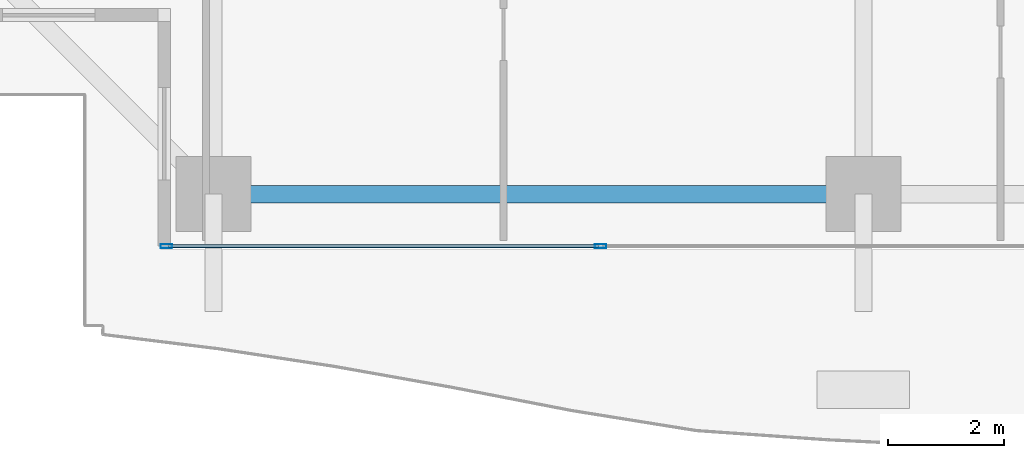
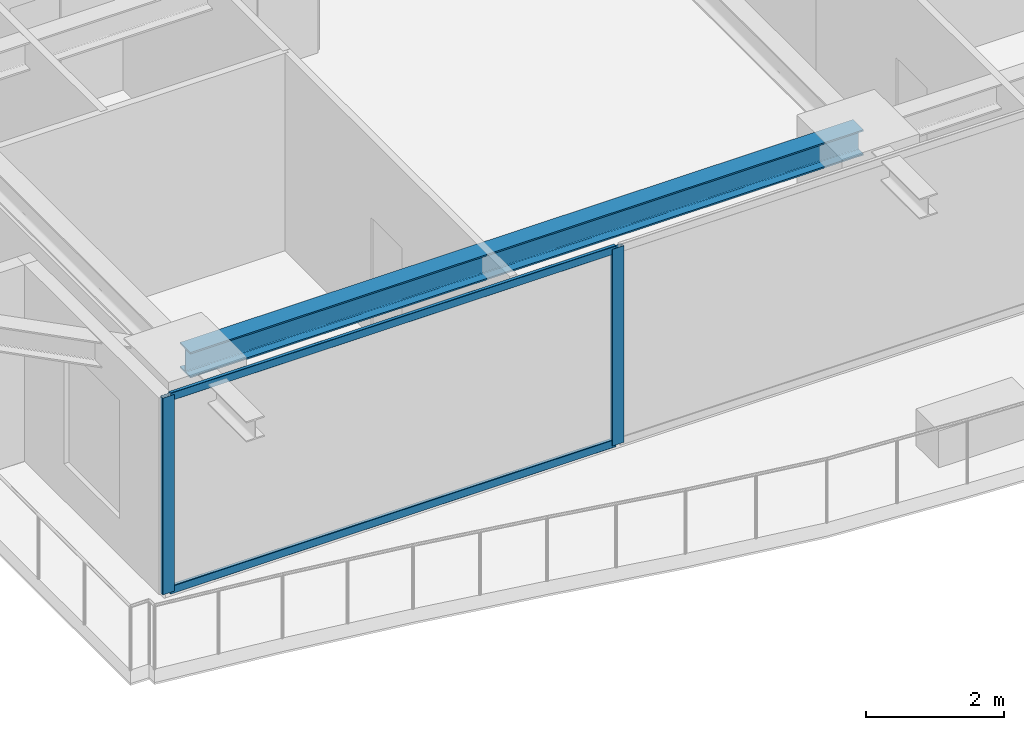
# One storey, part 2 of 38: 4 members, 1 beam, 1 element without a shape of its own.
"""IFC4 building model written with IfcOpenShell, lengths in metres."""

from ifc_helpers import new_model, si_unit, direction, frame, origin, origin_2d, place, context, subcontext, project, spatial, hollow_rectangle, i_section, extrude, source, transform, mapped, material, layer, layer_set, material_profile, profile_set, type_object, element, aggregate, save


model = new_model("IFC4")

# Units and contexts
model_context = context("Model", 3, precision=1e-05, world=origin(), true_north=direction((0.0, 1.0)))
body_context = subcontext(model_context, "Body", "Model", "MODEL_VIEW")
ifc_project = project(units=[si_unit("LENGTHUNIT", "METRE"), si_unit("AREAUNIT", "SQUARE_METRE"), si_unit("VOLUMEUNIT", "CUBIC_METRE"), si_unit("PLANEANGLEUNIT", "RADIAN"), si_unit("MASSUNIT", "GRAM", prefix="KILO")], contexts=[model_context])

# Site, building, storey
site_placement = place(None, origin())
site = spatial("IfcSite", under=ifc_project, at=site_placement, CompositionType="ELEMENT")
building_placement = place(site_placement, origin())
building = spatial("IfcBuilding", under=site, at=building_placement, Name="Serunith Strait Residences", CompositionType="ELEMENT")
storey_placement = place(building_placement, frame((0.0, 0.0, 176.39990234375)))
storey = spatial("IfcBuildingStorey", under=building, at=storey_placement, Name="L44", CompositionType="ELEMENT", Elevation=176.39990234375)

# Beam
ifc_material_1 = material(Name="Steel S355J2", Category="steel")
ifc_material_profile_1 = material_profile(ifc_material_1, i_section(OverallWidth=0.300048828125, OverallDepth=0.449951171875, WebThickness=0.013916015625, FlangeThickness=0.02587890625, FilletRadius=0.027099609375, at=origin_2d()), Name="HEB 450")
ifc_profile_set_1 = profile_set([ifc_material_profile_1], Name="Steel S355J2")
beam_type = type_object("IfcBeamType", Name="BM-HEB450", PredefinedType="BEAM", material=ifc_profile_set_1)
shared_shape_1 = source(origin(), body_context, "Body", "SweptSolid", [
    extrude(i_section(OverallWidth=0.300048828125, OverallDepth=0.449951171875, WebThickness=0.013916015625, FlangeThickness=0.02587890625, FilletRadius=0.027099609375, at=origin_2d()), origin(), (0.0, 0.0, 1.0), 11.25),
])
beam_placement = place(storey_placement, frame((16.64990234375, 2.300048828125, 3.26220703125), z_axis=(1.0, 0.0, 0.0), x_axis=(0.0, 1.0, 0.0)))
element("IfcBeam", 1, at=beam_placement, inside=storey, type_object=beam_type, Name="L44 Perimeter Ring Beam 01", PredefinedType="BEAM", context=body_context, shape_type="MappedRepresentation", body=[
    mapped(shared_shape_1, transform((0.0, 0.0, 0.0), scale=1.0)),
])

# Curtain wall, members
ifc_material_2 = material(Name="Pale-Champagne Anodised Aluminium", Category="aluminium")
ifc_layer = layer(ifc_material_2, 0.199951171875, Name="Pale-Champagne Anodised Aluminium")
ifc_layer_set = layer_set([ifc_layer], Name="Pale-Champagne Anodised Aluminium")
curtain_wall_type = type_object("IfcCurtainWallType", Name="CW-SYS2", PredefinedType="NOTDEFINED", material=ifc_layer_set)
curtain_wall_placement = place(storey_placement, origin())
curtain_wall = element("IfcCurtainWall", 2, at=curtain_wall_placement, inside=storey, type_object=curtain_wall_type, Name="L44 S Unitised Fritted Curtain Wall", PredefinedType="NOTDEFINED")
ifc_material_profile_2 = material_profile(ifc_material_2, hollow_rectangle(XDim=0.070068359375, YDim=0.199951171875, WallThickness=0.00390625, InnerFilletRadius=0.006103515625, OuterFilletRadius=0.010009765625, at=origin_2d()), Name="ALU 200x70x4")
ifc_profile_set_2 = profile_set([ifc_material_profile_2], Name="Pale-Champagne Anodised Aluminium")
member_type_1 = type_object("IfcMemberType", Name="CW-SYS2-MULL", PredefinedType="MULLION", material=ifc_profile_set_2)
shared_shape_2 = source(origin(), body_context, "Body", "SweptSolid", [
    extrude(hollow_rectangle(XDim=0.070068359375, YDim=0.199951171875, WallThickness=0.00390625, InnerFilletRadius=0.006103515625, OuterFilletRadius=0.010009765625, at=origin_2d()), origin(), (0.0, 0.0, 1.0), 3.47509765625),
])
member_1_placement = place(storey_placement, frame((15.8349609375, 1.39990234375, 0.0), z_axis=(0.0, 0.0, 1.0), x_axis=(0.0, 1.0, 0.0)))
member_1 = element("IfcMember", 3, at=member_1_placement, type_object=member_type_1, Name="CW-2 mullion 1", PredefinedType="MULLION", context=body_context, shape_type="MappedRepresentation", body=[
    mapped(shared_shape_2, transform((0.0, 0.0, 0.0), scale=1.0)),
])
member_2_placement = place(storey_placement, frame((23.35009765625, 1.39990234375, 0.0), z_axis=(0.0, 0.0, 1.0), x_axis=(0.0, 1.0, 0.0)))
member_2 = element("IfcMember", 4, at=member_2_placement, type_object=member_type_1, Name="CW-2 mullion 2", PredefinedType="MULLION", context=body_context, shape_type="MappedRepresentation", body=[
    mapped(shared_shape_2, transform((0.0, 0.0, 0.0), scale=1.0)),
])
ifc_material_profile_3 = material_profile(ifc_material_2, hollow_rectangle(XDim=0.06005859375, YDim=0.139892578125, WallThickness=0.00341796875, InnerFilletRadius=0.00537109375, OuterFilletRadius=0.0087890625, at=origin_2d()), Name="ALU 140x60x3.5")
ifc_profile_set_3 = profile_set([ifc_material_profile_3], Name="Pale-Champagne Anodised Aluminium")
member_type_2 = type_object("IfcMemberType", Name="CW-SYS2-TRAN", PredefinedType="USERDEFINED", material=ifc_profile_set_3)
shared_shape_3 = source(origin(), body_context, "Body", "SweptSolid", [
    extrude(hollow_rectangle(XDim=0.06005859375, YDim=0.139892578125, WallThickness=0.00341796875, InnerFilletRadius=0.00537109375, OuterFilletRadius=0.0087890625, at=origin_2d()), origin(), (0.0, 0.0, 1.0), 7.44482421875),
])
member_3_placement = place(storey_placement, frame((15.8701171875, 1.39990234375, 0.030029296875), z_axis=(1.0, 0.0, 0.0), x_axis=(0.0, 1.0, 0.0)))
member_3 = element("IfcMember", 5, at=member_3_placement, type_object=member_type_2, Name="CW-2 transom 1.1", ObjectType="TRANSOM", PredefinedType="USERDEFINED", context=body_context, shape_type="MappedRepresentation", body=[
    mapped(shared_shape_3, transform((0.0, 0.0, 0.0), scale=1.0)),
])
member_4_placement = place(storey_placement, frame((15.8701171875, 1.39990234375, 3.445068359375), z_axis=(1.0, 0.0, 0.0), x_axis=(0.0, 1.0, 0.0)))
member_4 = element("IfcMember", 6, at=member_4_placement, type_object=member_type_2, Name="CW-2 transom 1.2", ObjectType="TRANSOM", PredefinedType="USERDEFINED", context=body_context, shape_type="MappedRepresentation", body=[
    mapped(shared_shape_3, transform((0.0, 0.0, 0.0), scale=1.0)),
])
aggregate(curtain_wall, [member_1, member_2, member_3, member_4])

save(model, "model.ifc")
